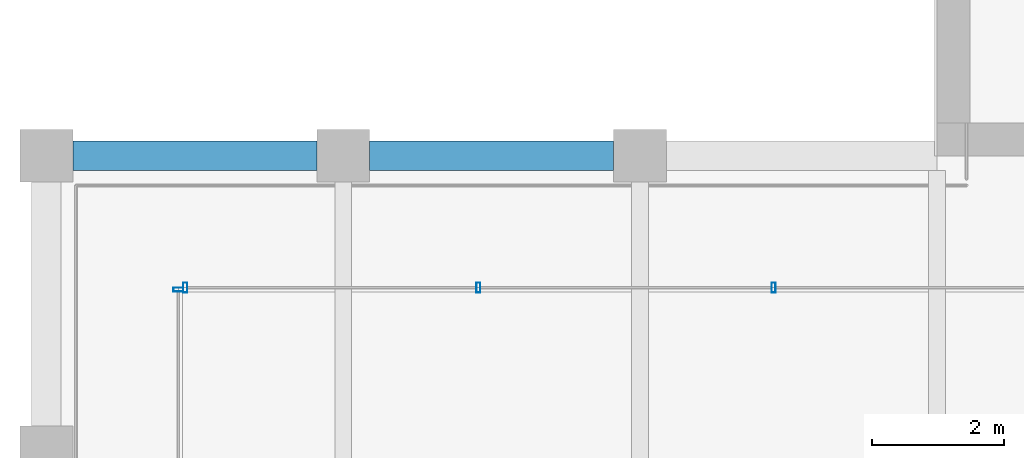
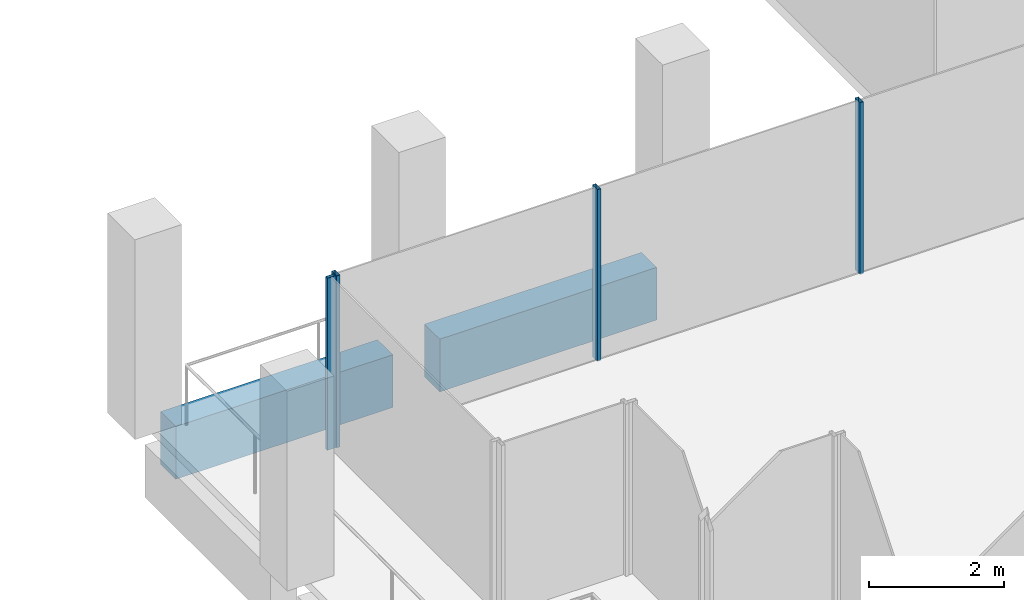
# One storey, part 5 of 30: 4 members, 2 beams, 2 elements without a shape of their own.
"""IFC4 building model written with IfcOpenShell, lengths in metres."""

from ifc_helpers import new_model, si_unit, direction, frame, origin, origin_2d, place, context, subcontext, project, spatial, rectangle, hollow_rectangle, extrude, material, material_profile, profile_set, type_object, element, aggregate, save


model = new_model("IFC4")

# Units and contexts
model_context = context("Model", 3, precision=1e-05, world=origin(), true_north=direction((0.0, 1.0)))
body_context = subcontext(model_context, "Body", "Model", "MODEL_VIEW")
ifc_project = project(units=[si_unit("LENGTHUNIT", "METRE"), si_unit("AREAUNIT", "SQUARE_METRE"), si_unit("VOLUMEUNIT", "CUBIC_METRE"), si_unit("PLANEANGLEUNIT", "RADIAN"), si_unit("MASSUNIT", "GRAM", prefix="KILO")], contexts=[model_context])

# Site, building, storey
site_placement = place(None, origin())
site = spatial("IfcSite", under=ifc_project, at=site_placement, CompositionType="ELEMENT")
building_placement = place(site_placement, origin())
building = spatial("IfcBuilding", under=site, at=building_placement, Name="Altepetl Exchange Towers", CompositionType="ELEMENT")
storey_placement = place(building_placement, frame((0.0, 0.0, 217.199951171875)))
storey = spatial("IfcBuildingStorey", under=building, at=storey_placement, Name="L55", CompositionType="ELEMENT", Elevation=217.199951171875)

# Curtain wall, members
ifc_material_1 = material(Name="Aluminium 6063-T6 glazing", Category="aluminium")
curtain_wall_type = type_object("IfcCurtainWallType", Name="Loggia glazing system", PredefinedType="NOTDEFINED", material=ifc_material_1)
curtain_wall_1_placement = place(storey_placement, origin())
curtain_wall_1 = element("IfcCurtainWall", 1, at=curtain_wall_1_placement, inside=storey, type_object=curtain_wall_type, Name="CW1 run", PredefinedType="NOTDEFINED")
ifc_material_2 = material(Name="Aluminium 6063-T6", Category="aluminium")
ifc_material_profile_1 = material_profile(ifc_material_2, hollow_rectangle(XDim=0.06005859375, YDim=0.14990234375, WallThickness=0.0029296875, at=origin_2d()), Name="Mullion 60x150 aluminium")
ifc_profile_set_1 = profile_set([ifc_material_profile_1], Name="Aluminium 6063-T6")
member_type = type_object("IfcMemberType", Name="Mullion 60x150 aluminium", PredefinedType="MULLION", material=ifc_profile_set_1)
member_1_placement = place(storey_placement, frame((38.02490234375, 38.5, 0.0), z_axis=(0.0, 0.0, 1.0), x_axis=(-1.0, 0.0, 0.0)))
member_1 = element("IfcMember", 2, at=member_1_placement, type_object=member_type, Name="MU1 mullion", PredefinedType="MULLION", context=body_context, shape_type="SweptSolid", body=[
    extrude(hollow_rectangle(XDim=0.06005859375, YDim=0.14990234375, WallThickness=0.0029296875, at=origin_2d()), origin(), (0.0, 0.0, 1.0), 3.10009765625),
])
member_2_placement = place(storey_placement, frame((33.550048828125, 38.5, 0.0), z_axis=(0.0, 0.0, 1.0), x_axis=(-1.0, 0.0, 0.0)))
member_2 = element("IfcMember", 3, at=member_2_placement, type_object=member_type, Name="MU1 mullion", PredefinedType="MULLION", context=body_context, shape_type="SweptSolid", body=[
    extrude(hollow_rectangle(XDim=0.06005859375, YDim=0.14990234375, WallThickness=0.0029296875, at=origin_2d()), origin(), (0.0, 0.0, 1.0), 3.10009765625),
])
member_3_placement = place(storey_placement, frame((29.10498046875, 38.5, 0.0), z_axis=(0.0, 0.0, 1.0), x_axis=(-1.0, 0.0, 0.0)))
member_3 = element("IfcMember", 4, at=member_3_placement, type_object=member_type, Name="MU1 mullion", PredefinedType="MULLION", context=body_context, shape_type="SweptSolid", body=[
    extrude(hollow_rectangle(XDim=0.06005859375, YDim=0.14990234375, WallThickness=0.0029296875, at=origin_2d()), origin(), (0.0, 0.0, 1.0), 3.10009765625),
])
aggregate(curtain_wall_1, [member_1, member_2, member_3])

# Curtain wall, member
curtain_wall_2_placement = place(storey_placement, origin())
curtain_wall_2 = element("IfcCurtainWall", 5, at=curtain_wall_2_placement, inside=storey, type_object=curtain_wall_type, Name="CW1 run", PredefinedType="NOTDEFINED")
member_4_placement = place(storey_placement, frame((29.0, 38.469970703125, 0.0), z_axis=(0.0, 0.0, 1.0), x_axis=(0.0, -1.0, 0.0)))
member_4 = element("IfcMember", 6, at=member_4_placement, type_object=member_type, Name="MU1 mullion", PredefinedType="MULLION", context=body_context, shape_type="SweptSolid", body=[
    extrude(hollow_rectangle(XDim=0.06005859375, YDim=0.14990234375, WallThickness=0.0029296875, at=origin_2d()), origin(), (0.0, 0.0, 1.0), 3.10009765625),
])
aggregate(curtain_wall_2, [member_4])

# Beams
ifc_material_3 = material(Name="Concrete C50/60 precast with tezontle facing", Category="concrete")
ifc_material_profile_2 = material_profile(ifc_material_3, rectangle(XDim=0.449951171875, YDim=0.949951171875, at=origin_2d()), Name="450 x 950")
ifc_profile_set_2 = profile_set([ifc_material_profile_2], Name="Concrete C50/60 precast with tezontle facing")
beam_type = type_object("IfcBeamType", Name="Spandrel beam 450x950 tezontle", PredefinedType="SPANDREL", material=ifc_profile_set_2)
for number, where, z_axis, x_axis, name in (
    (7, (35.60009765625, 40.5, -0.625), (-1.0, 0.0, 0.0), (0.0, -1.0, 0.0), "sp:A:L55:034"),
    (8, (31.10009765625, 40.5, -0.625), (-1.0, 0.0, 0.0), (0.0, -1.0, 0.0), "sp:A:L55:035"),
):
    element("IfcBeam", number, at=place(storey_placement, frame(where, z_axis=z_axis, x_axis=x_axis)), inside=storey, type_object=beam_type, Name=name, PredefinedType="SPANDREL", context=body_context, shape_type="SweptSolid", body=[
        extrude(rectangle(XDim=0.449951171875, YDim=0.949951171875, at=origin_2d()), origin(), (0.0, 0.0, 1.0), 3.7001953125),
    ])

save(model, "model.ifc")
